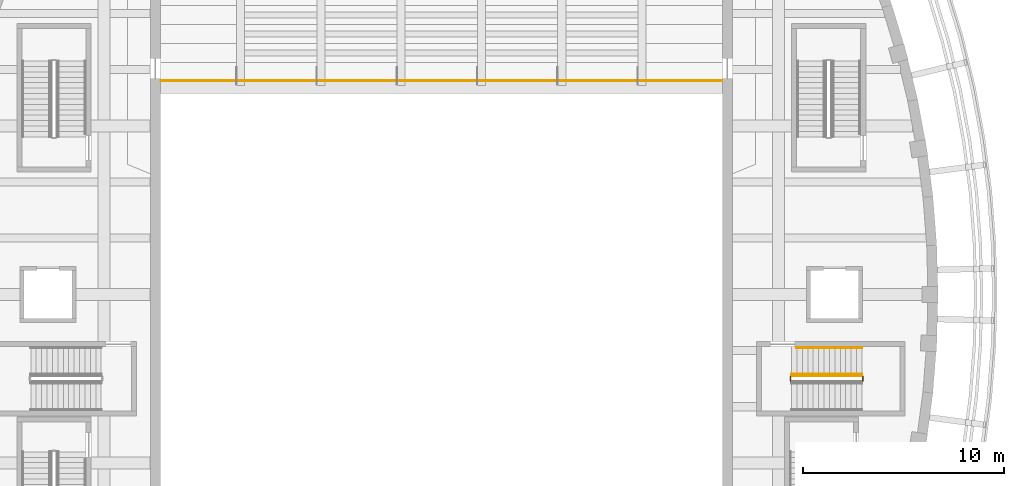
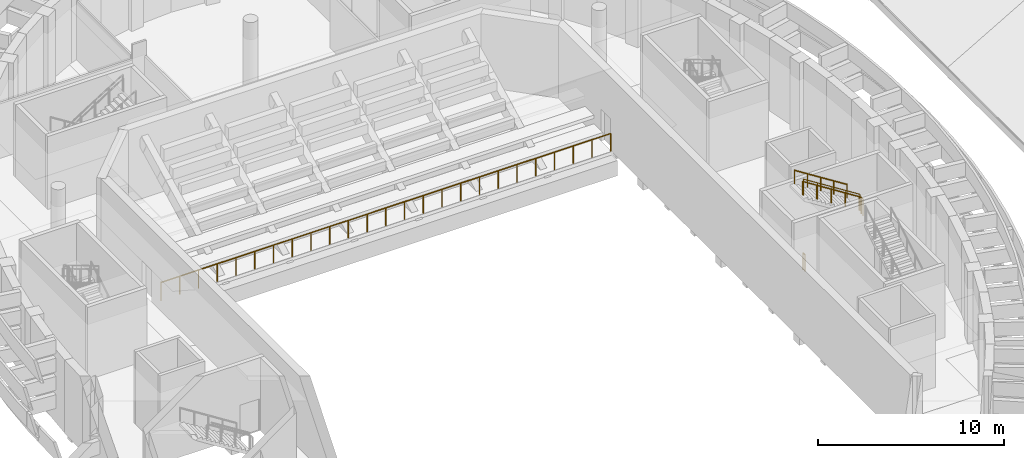
# One storey, part 31 of 37: 6 railings.
"""IFC4 building model written with IfcOpenShell, lengths in metres."""

import ifcopenshell
import ifcopenshell.guid

model = None  # the IFC model being written
_history = None  # IfcOwnerHistory: only IFC2X3 demands one
_inside = {}  # id of a spatial element -> (the spatial element, [elements in it])
_under = {}  # id of a project, library or spatial element -> (it, [spatial elements below it])
_declared = {}  # id of a project -> (the project, [libraries it declares])
_typed = {}  # id of a type object -> (the type object, [elements of that type])
_made_of = {}  # id of a material, layer set ... -> (it, [elements and type objects made of it])


def new_model(schema):
    """Start an empty IFC model of exactly this schema.

    Asked for "IFC4X3", IfcOpenShell would pick the latest addendum, in which some entities
    have other attributes; the version numbers below select the first issue.
    IFC2X3 requires an IfcOwnerHistory on every rooted entity: one is made here for all.
    """
    global model, _history
    if schema == "IFC4X3":
        model = ifcopenshell.file(schema_version=(4, 3, 0, 0))
    else:
        model = ifcopenshell.file(schema=schema)
    _inside.clear()
    _under.clear()
    _declared.clear()
    _typed.clear()
    _made_of.clear()
    _history = None
    if model.schema == "IFC2X3":
        org = make("IfcOrganization", Name="unknown")
        user = make(
            "IfcPersonAndOrganization",
            ThePerson=make("IfcPerson", FamilyName="unknown"),
            TheOrganization=org,
        )
        app = make(
            "IfcApplication",
            ApplicationDeveloper=org,
            Version="unknown",
            ApplicationFullName="unknown",
            ApplicationIdentifier="unknown",
        )
        _history = make(
            "IfcOwnerHistory",
            OwningUser=user,
            OwningApplication=app,
            ChangeAction="ADDED",
            CreationDate=0,
        )
    return model


def make(cls, **values):
    """One entity of the class cls with the attributes given. An attribute that is None is left unset."""
    return model.create_entity(
        cls, **{name: value for name, value in values.items() if value is not None}
    )


def rooted(cls, **values):
    """An entity with a GlobalId (a new one), such as an element, a storey or a relation."""
    return make(cls, GlobalId=ifcopenshell.guid.new(), OwnerHistory=_history, **values)


def si_unit(unit_type, name, prefix=None):
    """IfcSIUnit, for example si_unit("LENGTHUNIT", "METRE", prefix="MILLI")."""
    return make("IfcSIUnit", UnitType=unit_type, Prefix=prefix, Name=name)


def assignment(units):
    """IfcUnitAssignment: the units of a project."""
    return None if units is None else make("IfcUnitAssignment", Units=units)


def point(xyz):
    """IfcCartesianPoint."""
    return None if xyz is None else make("IfcCartesianPoint", Coordinates=xyz)


def direction(xyz):
    """IfcDirection."""
    return None if xyz is None else make("IfcDirection", DirectionRatios=xyz)


def frame(location, z_axis=None, x_axis=None):
    """IfcAxis2Placement3D, a coordinate frame: its origin and axes. An axis left out is left unset."""
    return make(
        "IfcAxis2Placement3D",
        Location=point(location),
        Axis=direction(z_axis),
        RefDirection=direction(x_axis),
    )


def frame_2d(location, x_axis=None):
    """IfcAxis2Placement2D, a coordinate frame in the plane: its origin and x axis."""
    return make(
        "IfcAxis2Placement2D", Location=point(location), RefDirection=direction(x_axis)
    )


def origin():
    """The frame at (0, 0, 0) with its axes left unset."""
    return frame((0.0, 0.0, 0.0))


def origin_2d():
    """The frame at (0, 0) in the plane with its x axis left unset."""
    return frame_2d((0.0, 0.0))


def place(relative_to, where):
    """IfcLocalPlacement: puts the frame where relative to a parent placement (None: the world)."""
    return make(
        "IfcLocalPlacement", PlacementRelTo=relative_to, RelativePlacement=where
    )


def context(
    kind, dimensions, precision=None, world=None, true_north=None, identifier=None
):
    """IfcGeometricRepresentationContext, for example the 3D "Model" context."""
    return make(
        "IfcGeometricRepresentationContext",
        ContextIdentifier=identifier,
        ContextType=kind,
        CoordinateSpaceDimension=dimensions,
        Precision=precision,
        WorldCoordinateSystem=world,
        TrueNorth=true_north,
    )


def subcontext(parent, identifier, kind, view, scale=None):
    """IfcGeometricRepresentationSubContext, for example "Body" below "Model"."""
    return make(
        "IfcGeometricRepresentationSubContext",
        ContextIdentifier=identifier,
        ContextType=kind,
        ParentContext=parent,
        TargetScale=scale,
        TargetView=view,
    )


def project(units=None, contexts=None):
    """IfcProject with its units and contexts."""
    return rooted(
        "IfcProject",
        Name="project",
        RepresentationContexts=contexts,
        UnitsInContext=assignment(units),
    )


def spatial(cls, under=None, at=None, **own):
    """A site, building, storey or space (cls), placed at a placement, below another one or the project."""
    s = rooted(cls, ObjectPlacement=at, **own)
    if under is not None:
        _under.setdefault(under.id(), (under, []))[1].append(s)
    return s


def profile(cls, at=None, kind="AREA", **sizes):
    """A parametric profile (cls). Its sizes go by their IFC names, for example OverallWidth=200.0."""
    return make(cls, ProfileType=kind, Position=at, **sizes)


def circle(**sizes):
    """IfcCircleProfileDef."""
    return profile("IfcCircleProfileDef", **sizes)


def extrude(swept, where, along, depth):
    """IfcExtrudedAreaSolid: the profile swept, set in the frame where, extruded along a direction by depth."""
    return make(
        "IfcExtrudedAreaSolid",
        SweptArea=swept,
        Position=where,
        ExtrudedDirection=direction(along),
        Depth=depth,
    )


def shape(context_of_items, identifier, shape_type, items):
    """IfcShapeRepresentation: the items that make up one representation, for example the "Body"."""
    return make(
        "IfcShapeRepresentation",
        ContextOfItems=context_of_items,
        RepresentationIdentifier=identifier,
        RepresentationType=shape_type,
        Items=items,
    )


def material(Name=None, Category=None):
    """IfcMaterial."""
    return make("IfcMaterial", Name=Name, Category=Category)


def made_of(thing, what):
    """Note that an element or type object is made of a material, layer set ...; save() writes the relation."""
    if what is not None:
        _made_of.setdefault(what.id(), (what, []))[1].append(thing)
    return thing


def type_object(cls, material=None, **own):
    """A type object (cls), such as IfcWallType, which elements share."""
    return made_of(rooted(cls, **own), material)


def element(
    cls,
    number,
    at=None,
    inside=None,
    cuts=None,
    type_object=None,
    material=None,
    context=None,
    identifier="Body",
    shape_type=None,
    held_by="IfcProductDefinitionShape",
    body=None,
    shapes=None,
    **own,
):
    """One element of the class cls, such as IfcWall. Its Tag is "e" and its number.

    at: its placement. inside: the storey or other place that contains it. cuts: it is an
    opening in that element (IfcRelVoidsElement). A single representation is given by context,
    identifier, shape_type and body (its items); several are given by shapes. held_by: the class
    of the entity that holds the representations. save() writes the other relations.
    """
    e = rooted(cls, Tag="e%d" % number, ObjectPlacement=at, **own)
    if body is not None:
        shapes = [shape(context, identifier, shape_type, body)]
    if shapes is not None:
        e.Representation = make(held_by, Representations=shapes)
    if inside is not None:
        _inside.setdefault(inside.id(), (inside, []))[1].append(e)
    if cuts is not None:
        rooted(
            "IfcRelVoidsElement", RelatingBuildingElement=cuts, RelatedOpeningElement=e
        )
    if type_object is not None:
        _typed.setdefault(type_object.id(), (type_object, []))[1].append(e)
    return made_of(e, material)


def aggregate(whole, parts):
    """IfcRelAggregates: a whole, such as a stair, and the parts it consists of."""
    return rooted("IfcRelAggregates", RelatingObject=whole, RelatedObjects=parts)


def save(model, path):
    """Write the relations noted so far, then the file.

    IfcRelAggregates (storeys below a building ...), IfcRelContainedInSpatialStructure (elements
    in a storey), IfcRelDefinesByType, IfcRelAssociatesMaterial and IfcRelDeclares: one each for
    every whole, place, type object, material and project.
    """
    for whole, parts in _under.values():
        aggregate(whole, parts)
    for where, things in _inside.values():
        rooted(
            "IfcRelContainedInSpatialStructure",
            RelatedElements=things,
            RelatingStructure=where,
        )
    for kind, things in _typed.values():
        rooted("IfcRelDefinesByType", RelatedObjects=things, RelatingType=kind)
    for what, things in _made_of.values():
        rooted("IfcRelAssociatesMaterial", RelatedObjects=things, RelatingMaterial=what)
    for by, libraries in _declared.values():
        rooted("IfcRelDeclares", RelatingContext=by, RelatedDefinitions=libraries)
    model.write(path)


model = new_model("IFC4")

# Units and contexts
model_context = context("Model", 3, precision=1e-05, world=origin(), true_north=direction((0.0, 1.0)))
body_context = subcontext(model_context, "Body", "Model", "MODEL_VIEW")
ifc_project = project(units=[si_unit("LENGTHUNIT", "METRE"), si_unit("AREAUNIT", "SQUARE_METRE"), si_unit("VOLUMEUNIT", "CUBIC_METRE"), si_unit("PLANEANGLEUNIT", "RADIAN"), si_unit("MASSUNIT", "GRAM", prefix="KILO")], contexts=[model_context])

# Site, building, storey
site_placement = place(None, origin())
site = spatial("IfcSite", under=ifc_project, at=site_placement, CompositionType="ELEMENT")
building_placement = place(site_placement, origin())
building = spatial("IfcBuilding", under=site, at=building_placement, Name="Larchfold Concert Hall", CompositionType="ELEMENT")
storey_placement = place(building_placement, frame((0.0, 0.0, 19.199951171875)))
storey = spatial("IfcBuildingStorey", under=building, at=storey_placement, Name="L04", CompositionType="ELEMENT", Elevation=19.199951171875)

# Railings
ifc_material_1 = material(Name="Stainless steel balustrade", Category="steel")
railing_type_1 = type_object("IfcRailingType", Name="Balcony guard 1200", PredefinedType="GUARDRAIL", material=ifc_material_1)
railing_1_placement = place(storey_placement, frame((28.6298828125, 95.25, 0.0)))
element("IfcRailing", 1, at=railing_1_placement, inside=storey, type_object=railing_type_1, Name="Guard GR0065", PredefinedType="GUARDRAIL", context=body_context, shape_type="SweptSolid", body=[
    extrude(circle(Radius=0.02392578125, at=origin_2d()), frame((0.0, 0.0, 1.17578125), z_axis=(1.0, 0.0, 0.0), x_axis=(0.0, 1.0, 0.0)), (0.0, 0.0, 1.0), 27.940185546875),
    extrude(circle(Radius=0.02099609375, at=origin_2d()), origin(), (0.0, 0.0, 1.0), 1.15185546875),
    extrude(circle(Radius=0.02099609375, at=origin_2d()), frame((1.1640625, 0.0, 0.0)), (0.0, 0.0, 1.0), 1.15185546875),
    extrude(circle(Radius=0.02099609375, at=origin_2d()), frame((2.328369140625, 0.0, 0.0)), (0.0, 0.0, 1.0), 1.15185546875),
    extrude(circle(Radius=0.02099609375, at=origin_2d()), frame((3.492431640625, 0.0, 0.0)), (0.0, 0.0, 1.0), 1.15185546875),
    extrude(circle(Radius=0.02099609375, at=origin_2d()), frame((4.65673828125, 0.0, 0.0)), (0.0, 0.0, 1.0), 1.15185546875),
    extrude(circle(Radius=0.02099609375, at=origin_2d()), frame((5.82080078125, 0.0, 0.0)), (0.0, 0.0, 1.0), 1.15185546875),
    extrude(circle(Radius=0.02099609375, at=origin_2d()), frame((6.985107421875, 0.0, 0.0)), (0.0, 0.0, 1.0), 1.15185546875),
    extrude(circle(Radius=0.02099609375, at=origin_2d()), frame((8.149169921875, 0.0, 0.0)), (0.0, 0.0, 1.0), 1.15185546875),
    extrude(circle(Radius=0.02099609375, at=origin_2d()), frame((9.3134765625, 0.0, 0.0)), (0.0, 0.0, 1.0), 1.15185546875),
    extrude(circle(Radius=0.02099609375, at=origin_2d()), frame((10.4775390625, 0.0, 0.0)), (0.0, 0.0, 1.0), 1.15185546875),
    extrude(circle(Radius=0.02099609375, at=origin_2d()), frame((11.641845703125, 0.0, 0.0)), (0.0, 0.0, 1.0), 1.15185546875),
    extrude(circle(Radius=0.02099609375, at=origin_2d()), frame((12.805908203125, 0.0, 0.0)), (0.0, 0.0, 1.0), 1.15185546875),
    extrude(circle(Radius=0.02099609375, at=origin_2d()), frame((13.97021484375, 0.0, 0.0)), (0.0, 0.0, 1.0), 1.15185546875),
    extrude(circle(Radius=0.02099609375, at=origin_2d()), frame((15.13427734375, 0.0, 0.0)), (0.0, 0.0, 1.0), 1.15185546875),
    extrude(circle(Radius=0.02099609375, at=origin_2d()), frame((16.29833984375, 0.0, 0.0)), (0.0, 0.0, 1.0), 1.15185546875),
    extrude(circle(Radius=0.02099609375, at=origin_2d()), frame((17.462646484375, 0.0, 0.0)), (0.0, 0.0, 1.0), 1.15185546875),
    extrude(circle(Radius=0.02099609375, at=origin_2d()), frame((18.626708984375, 0.0, 0.0)), (0.0, 0.0, 1.0), 1.15185546875),
    extrude(circle(Radius=0.02099609375, at=origin_2d()), frame((19.791015625, 0.0, 0.0)), (0.0, 0.0, 1.0), 1.15185546875),
    extrude(circle(Radius=0.02099609375, at=origin_2d()), frame((20.955078125, 0.0, 0.0)), (0.0, 0.0, 1.0), 1.15185546875),
    extrude(circle(Radius=0.02099609375, at=origin_2d()), frame((22.119384765625, 0.0, 0.0)), (0.0, 0.0, 1.0), 1.15185546875),
    extrude(circle(Radius=0.02099609375, at=origin_2d()), frame((23.283447265625, 0.0, 0.0)), (0.0, 0.0, 1.0), 1.15185546875),
    extrude(circle(Radius=0.02099609375, at=origin_2d()), frame((24.44775390625, 0.0, 0.0)), (0.0, 0.0, 1.0), 1.15185546875),
    extrude(circle(Radius=0.02099609375, at=origin_2d()), frame((25.61181640625, 0.0, 0.0)), (0.0, 0.0, 1.0), 1.15185546875),
    extrude(circle(Radius=0.02099609375, at=origin_2d()), frame((26.776123046875, 0.0, 0.0)), (0.0, 0.0, 1.0), 1.15185546875),
    extrude(circle(Radius=0.02099609375, at=origin_2d()), frame((27.940185546875, 0.0, 0.0)), (0.0, 0.0, 1.0), 1.15185546875),
])
ifc_material_2 = material(Name="Stainless steel balustrade", Category="steel")
railing_type_2 = type_object("IfcRailingType", Name="Stair guard 1100", PredefinedType="GUARDRAIL", material=ifc_material_2)
railing_2_placement = place(storey_placement, frame((63.610107421875, 80.300048828125, 2.400146484375)))
element("IfcRailing", 2, at=railing_2_placement, inside=storey, type_object=railing_type_2, Name="Guard GR0032", PredefinedType="GUARDRAIL", context=body_context, shape_type="SweptSolid", body=[
    extrude(circle(Radius=0.02392578125, at=origin_2d()), frame((0.0, 0.0, 1.076171875), z_axis=(0.0, 1.0, 0.0), x_axis=(-1.0, 0.0, 0.0)), (0.0, 0.0, 1.0), 0.199951171875),
    extrude(circle(Radius=0.02099609375, at=origin_2d()), origin(), (0.0, 0.0, 1.0), 1.052001953125),
    extrude(circle(Radius=0.02099609375, at=origin_2d()), frame((0.0, 0.199951171875, 0.0)), (0.0, 0.0, 1.0), 1.052001953125),
])
railing_3_placement = place(storey_placement, frame((63.56005859375, 80.550048828125, 2.571533203125)))
element("IfcRailing", 3, at=railing_3_placement, inside=storey, type_object=railing_type_2, Name="Guard GR0033", PredefinedType="GUARDRAIL", context=body_context, shape_type="SweptSolid", body=[
    extrude(circle(Radius=0.02392578125, at=origin_2d()), frame((0.0, 0.0, 1.076171875), z_axis=(-0.844219563411, 0.0, 0.53599750816), x_axis=(0.0, -1.0, 0.0)), (0.0, 0.0, 1.0), 4.15771484375),
    extrude(circle(Radius=0.02099609375, at=origin_2d()), origin(), (0.0, 0.0, 1.0), 1.052001953125),
    extrude(circle(Radius=0.02099609375, at=origin_2d()), frame((-0.87744140625, 0.0, 0.55712890625)), (0.0, 0.0, 1.0), 1.052001953125),
    extrude(circle(Radius=0.02099609375, at=origin_2d()), frame((-1.7548828125, 0.0, 1.1142578125)), (0.0, 0.0, 1.0), 1.052001953125),
    extrude(circle(Radius=0.02099609375, at=origin_2d()), frame((-2.632568359375, 0.0, 1.67138671875)), (0.0, 0.0, 1.0), 1.052001953125),
    extrude(circle(Radius=0.02099609375, at=origin_2d()), frame((-3.510009765625, 0.0, 2.228515625)), (0.0, 0.0, 1.0), 1.052001953125),
])
railing_4_placement = place(storey_placement, frame((60.0, 80.300048828125, 0.0)))
element("IfcRailing", 4, at=railing_4_placement, inside=storey, type_object=railing_type_2, Name="Guard GR0034", PredefinedType="GUARDRAIL", context=body_context, shape_type="SweptSolid", body=[
    extrude(circle(Radius=0.02392578125, at=origin_2d()), frame((0.0, 0.0, 1.076171875), z_axis=(0.0, 1.0, 0.0), x_axis=(-1.0, 0.0, 0.0)), (0.0, 0.0, 1.0), 0.199951171875),
    extrude(circle(Radius=0.02099609375, at=origin_2d()), origin(), (0.0, 0.0, 1.0), 1.052001953125),
    extrude(circle(Radius=0.02099609375, at=origin_2d()), frame((0.0, 0.199951171875, 0.0)), (0.0, 0.0, 1.0), 1.052001953125),
])
ifc_material_3 = material(Name="Stainless steel handrail", Category="steel")
railing_type_3 = type_object("IfcRailingType", Name="Stair handrail 900", PredefinedType="HANDRAIL", material=ifc_material_3)
railing_5_placement = place(storey_placement, frame((63.56005859375, 81.949951171875, 2.571533203125)))
element("IfcRailing", 5, at=railing_5_placement, inside=storey, type_object=railing_type_3, Name="Handrail HR0030", PredefinedType="HANDRAIL", context=body_context, shape_type="SweptSolid", body=[
    extrude(circle(Radius=0.02392578125, at=origin_2d()), frame((0.0, 0.0, 0.8759765625), z_axis=(-0.844215539873, 0.0, 0.536003845356), x_axis=(0.0, -1.0, 0.0)), (0.0, 0.0, 1.0), 3.861572265625),
    extrude(circle(Radius=0.02099609375, at=origin_2d()), origin(), (0.0, 0.0, 1.0), 0.851806640625),
    extrude(circle(Radius=0.02099609375, at=origin_2d()), frame((-0.81494140625, 0.0, 0.517578125)), (0.0, 0.0, 1.0), 0.851806640625),
    extrude(circle(Radius=0.02099609375, at=origin_2d()), frame((-1.6298828125, 0.0, 1.034912109375)), (0.0, 0.0, 1.0), 0.851806640625),
    extrude(circle(Radius=0.02099609375, at=origin_2d()), frame((-2.445068359375, 0.0, 1.55224609375)), (0.0, 0.0, 1.0), 0.851806640625),
    extrude(circle(Radius=0.02099609375, at=origin_2d()), frame((-3.260009765625, 0.0, 2.06982421875)), (0.0, 0.0, 1.0), 0.851806640625),
])
railing_6_placement = place(storey_placement, frame((63.56005859375, 80.6201171875, 2.571533203125)))
element("IfcRailing", 6, at=railing_6_placement, inside=storey, type_object=railing_type_3, Name="Handrail HR0032", PredefinedType="HANDRAIL", context=body_context, shape_type="SweptSolid", body=[
    extrude(circle(Radius=0.02392578125, at=origin_2d()), frame((0.0, 0.0, 0.8759765625), z_axis=(-0.844219563411, 0.0, 0.53599750816), x_axis=(0.0, -1.0, 0.0)), (0.0, 0.0, 1.0), 4.15771484375),
    extrude(circle(Radius=0.02099609375, at=origin_2d()), origin(), (0.0, 0.0, 1.0), 0.851806640625),
    extrude(circle(Radius=0.02099609375, at=origin_2d()), frame((-0.87744140625, 0.0, 0.55712890625)), (0.0, 0.0, 1.0), 0.851806640625),
    extrude(circle(Radius=0.02099609375, at=origin_2d()), frame((-1.7548828125, 0.0, 1.1142578125)), (0.0, 0.0, 1.0), 0.851806640625),
    extrude(circle(Radius=0.02099609375, at=origin_2d()), frame((-2.632568359375, 0.0, 1.67138671875)), (0.0, 0.0, 1.0), 0.851806640625),
    extrude(circle(Radius=0.02099609375, at=origin_2d()), frame((-3.510009765625, 0.0, 2.228515625)), (0.0, 0.0, 1.0), 0.851806640625),
])

save(model, "model.ifc")
